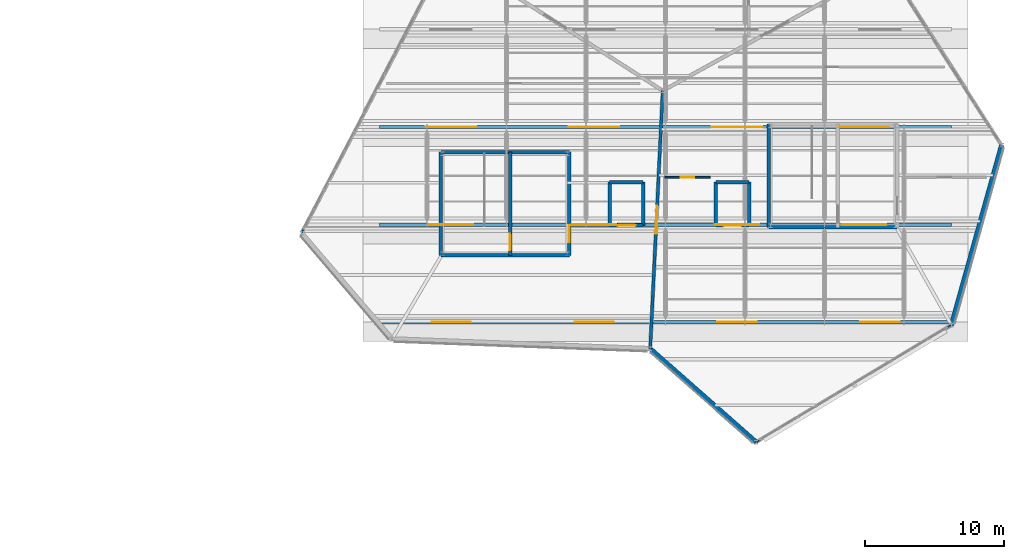
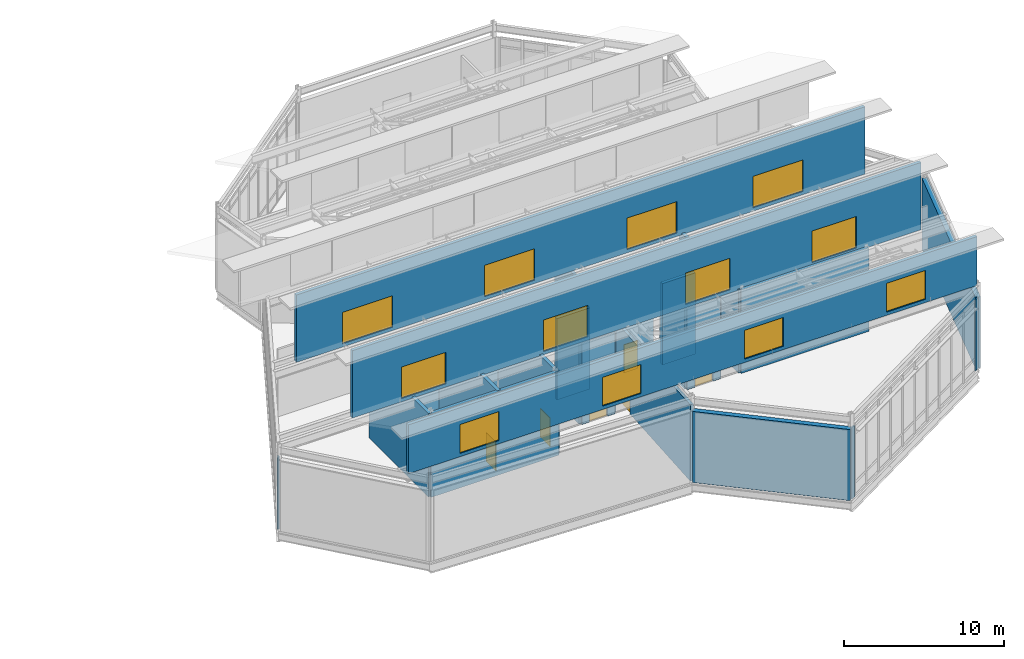
# One storey, part 52 of 55: 25 walls, 12 windows, 6 doors, 18 openings.
"""IFC4 building model written with IfcOpenShell, lengths in metres."""

from ifc_helpers import new_model, si_unit, direction, frame, frame_2d, origin, place, context, subcontext, project, spatial, rectangle, extrude, material, layer, layer_set, type_object, element, fill, save


model = new_model("IFC4")

# Units and contexts
model_context = context("Model", 3, precision=1e-05, world=origin(), true_north=direction((0.0, 1.0)))
body_context = subcontext(model_context, "Body", "Model", "MODEL_VIEW")
ifc_project = project(units=[si_unit("LENGTHUNIT", "METRE"), si_unit("AREAUNIT", "SQUARE_METRE"), si_unit("VOLUMEUNIT", "CUBIC_METRE"), si_unit("PLANEANGLEUNIT", "RADIAN"), si_unit("MASSUNIT", "GRAM", prefix="KILO")], contexts=[model_context])

# Site, building, storey
site_placement = place(None, origin())
site = spatial("IfcSite", under=ifc_project, at=site_placement, CompositionType="ELEMENT")
building_placement = place(site_placement, origin())
building = spatial("IfcBuilding", under=site, at=building_placement, Name="Tameran Prism Museum", CompositionType="ELEMENT")
storey_placement = place(building_placement, frame((0.0, 0.0, 28.800048828125)))
storey = spatial("IfcBuildingStorey", under=building, at=storey_placement, Name="L05", CompositionType="ELEMENT", Elevation=28.800048828125)

# Walls
ifc_material_1 = material(Name="Precast Concrete N40 (40 MPa)", Category="concrete")
ifc_layer_1 = layer(ifc_material_1, 0.094970703125)
ifc_layer_set_1 = layer_set([ifc_layer_1])
wall_type_1 = type_object("IfcWallType", Name="EW-CLOS-095", PredefinedType="SOLIDWALL", material=ifc_layer_set_1)
wall_1_placement = place(storey_placement, frame((92.9189453125, 78.93701171875, 0.0), z_axis=(0.0, 0.0, 1.0), x_axis=(0.464243799771, 0.885707454171, 0.0)))
element("IfcWall", 1, at=wall_1_placement, inside=storey, type_object=wall_type_1, Name="Facade Corner Closure EW-0455", PredefinedType="SOLIDWALL", context=body_context, shape_type="SweptSolid", body=[
    extrude(rectangle(XDim=0.30810546875, YDim=0.094970703125, at=frame_2d((0.154052734375, 0.0))), origin(), (0.0, 0.0, 1.0), 5.419921875),
])
for number, where, z_axis, x_axis, name in (
    (2, (139.464111328125, 72.278076171875, 0.0), (0.0, 0.0, 1.0), (-0.858261853705, -0.513212032668, 0.0), "Facade Corner Closure EW-0459"),
    (3, (125.800048828125, 64.080078125, 0.0), (0.0, 0.0, 1.0), (-0.858261853705, -0.513212032668, 0.0), "Facade Corner Closure EW-0460"),
):
    element("IfcWall", number, at=place(storey_placement, frame(where, z_axis=z_axis, x_axis=x_axis)), inside=storey, type_object=wall_type_1, Name=name, PredefinedType="SOLIDWALL", context=body_context, shape_type="SweptSolid", body=[
        extrude(rectangle(XDim=0.307861328125, YDim=0.094970703125, at=frame_2d((0.15380859375, 0.0))), origin(), (0.0, 0.0, 1.0), 5.419921875),
    ])
ifc_material_2 = material(Name="Precast Concrete N40 (40 MPa)", Category="concrete")
ifc_layer_2 = layer(ifc_material_2, 0.340087890625)
ifc_layer_set_2 = layer_set([ifc_layer_2])
wall_type_2 = type_object("IfcWallType", Name="EW-GAL-340", PredefinedType="SOLIDWALL", material=ifc_layer_set_2)
wall_2_placement = place(storey_placement, frame((125.5, 63.89990234375, 0.0), z_axis=(0.0, 0.0, 1.0), x_axis=(-0.750131359252, 0.661288850554, 0.0)))
element("IfcWall", 4, at=wall_2_placement, inside=storey, type_object=wall_type_2, Name="Exterior Fluted Precast Wall EW-0458", PredefinedType="SOLIDWALL", context=body_context, shape_type="SweptSolid", body=[
    extrude(rectangle(XDim=10.071533203125, YDim=0.340087890625, at=frame_2d((5.03564453125, 0.0))), origin(), (0.0, 0.0, 1.0), 5.419921875),
])
wall_3_placement = place(storey_placement, frame((143.10009765625, 85.199951171875, 0.0), z_axis=(0.0, 0.0, 1.0), x_axis=(-0.268807620494, -0.96319388659, 0.0)))
element("IfcWall", 5, at=wall_3_placement, inside=storey, type_object=wall_type_2, Name="Exterior Fluted Precast Wall EW-0461", PredefinedType="SOLIDWALL", context=body_context, shape_type="SweptSolid", body=[
    extrude(rectangle(XDim=13.392822265625, YDim=0.340087890625, at=frame_2d((6.6962890625, 0.0))), origin(), (0.0, 0.0, 1.0), 5.419921875),
])

# Wall, openings, windows
ifc_material_3 = material(Name="Insulated Aluminium Cladding Panel", Category="aluminium")
ifc_layer_3 = layer(ifc_material_3, 0.235107421875)
ifc_layer_set_3 = layer_set([ifc_layer_3])
wall_type_3 = type_object("IfcWallType", Name="EW-SAW-235", PredefinedType="SOLIDWALL", material=ifc_layer_set_3)
wall_4_placement = place(storey_placement, frame((139.5, 72.5, 6.25), z_axis=(0.0, 0.0, 1.0), x_axis=(-1.0, 0.0, 0.0)))
wall_4 = element("IfcWall", 6, at=wall_4_placement, inside=storey, type_object=wall_type_3, Name="Sawtooth Monitor Wall SMW-01", PredefinedType="SOLIDWALL", context=body_context, shape_type="SweptSolid", body=[
    extrude(rectangle(XDim=41.0, YDim=0.235107421875, at=frame_2d((20.5, 0.0))), origin(), (0.0, 0.0, 1.0), 3.72998046875),
])
opening_1_placement = place(wall_4_placement, frame((3.72509765625, 0.0, 0.25)))
opening_1 = element("IfcOpeningElement", 7, at=opening_1_placement, cuts=wall_4, Name="Opening RL-01", PredefinedType="OPENING", context=body_context, shape_type="SweptSolid", body=[
    extrude(rectangle(XDim=2.800048828125, YDim=2.199951171875, at=frame_2d((1.39990234375, 1.10009765625))), frame((0.0, 0.12744140625, 0.0), z_axis=(0.0, -1.0, 0.0), x_axis=(1.0, 0.0, 0.0)), (0.0, 0.0, 1.0), 0.255126953125),
])
opening_2_placement = place(wall_4_placement, frame((13.97509765625, 0.0, 0.25)))
opening_2 = element("IfcOpeningElement", 8, at=opening_2_placement, cuts=wall_4, Name="Opening RL-02", PredefinedType="OPENING", context=body_context, shape_type="SweptSolid", body=[
    extrude(rectangle(XDim=2.800048828125, YDim=2.199951171875, at=frame_2d((1.39990234375, 1.10009765625))), frame((0.0, 0.12744140625, 0.0), z_axis=(0.0, -1.0, 0.0), x_axis=(1.0, 0.0, 0.0)), (0.0, 0.0, 1.0), 0.255126953125),
])
opening_3_placement = place(wall_4_placement, frame((24.22509765625, 0.0, 0.25)))
opening_3 = element("IfcOpeningElement", 9, at=opening_3_placement, cuts=wall_4, Name="Opening RL-03", PredefinedType="OPENING", context=body_context, shape_type="SweptSolid", body=[
    extrude(rectangle(XDim=2.800048828125, YDim=2.199951171875, at=frame_2d((1.39990234375, 1.10009765625))), frame((0.0, 0.12744140625, 0.0), z_axis=(0.0, -1.0, 0.0), x_axis=(1.0, 0.0, 0.0)), (0.0, 0.0, 1.0), 0.255126953125),
])
opening_4_placement = place(wall_4_placement, frame((34.47509765625, 0.0, 0.25)))
opening_4 = element("IfcOpeningElement", 10, at=opening_4_placement, cuts=wall_4, Name="Opening RL-04", PredefinedType="OPENING", context=body_context, shape_type="SweptSolid", body=[
    extrude(rectangle(XDim=2.800048828125, YDim=2.199951171875, at=frame_2d((1.39990234375, 1.10009765625))), frame((0.0, 0.12744140625, 0.0), z_axis=(0.0, -1.0, 0.0), x_axis=(1.0, 0.0, 0.0)), (0.0, 0.0, 1.0), 0.255126953125),
])
ifc_material_4 = material(Name="Cyclone Laminated Low-E Glass in 6063-T6 Frame", Category="glass")
window_type_1 = type_object("IfcWindowType", Name="WIN-RL02", PartitioningType="SINGLE_PANEL", PredefinedType="SKYLIGHT", material=ifc_material_4)
window_1_placement = place(opening_1_placement, origin())
window_1 = element("IfcWindow", 11, at=window_1_placement, inside=storey, type_object=window_type_1, Name="Rooflight RL-01", OverallHeight=2.199951171875, OverallWidth=2.800048828125, PartitioningType="SINGLE_PANEL", PredefinedType="SKYLIGHT", context=body_context, shape_type="SweptSolid", body=[
    extrude(rectangle(XDim=2.800048828125, YDim=2.199951171875, at=frame_2d((1.39990234375, 1.10009765625))), frame((0.0, 0.030029296875, 0.0), z_axis=(0.0, -1.0, 0.0), x_axis=(1.0, 0.0, 0.0)), (0.0, 0.0, 1.0), 0.06005859375),
])
fill(opening_1, window_1)
window_2_placement = place(opening_2_placement, origin())
window_2 = element("IfcWindow", 12, at=window_2_placement, inside=storey, type_object=window_type_1, Name="Rooflight RL-02", OverallHeight=2.199951171875, OverallWidth=2.800048828125, PartitioningType="SINGLE_PANEL", PredefinedType="SKYLIGHT", context=body_context, shape_type="SweptSolid", body=[
    extrude(rectangle(XDim=2.800048828125, YDim=2.199951171875, at=frame_2d((1.39990234375, 1.10009765625))), frame((0.0, 0.030029296875, 0.0), z_axis=(0.0, -1.0, 0.0), x_axis=(1.0, 0.0, 0.0)), (0.0, 0.0, 1.0), 0.06005859375),
])
fill(opening_2, window_2)
window_3_placement = place(opening_3_placement, origin())
window_3 = element("IfcWindow", 13, at=window_3_placement, inside=storey, type_object=window_type_1, Name="Rooflight RL-03", OverallHeight=2.199951171875, OverallWidth=2.800048828125, PartitioningType="SINGLE_PANEL", PredefinedType="SKYLIGHT", context=body_context, shape_type="SweptSolid", body=[
    extrude(rectangle(XDim=2.800048828125, YDim=2.199951171875, at=frame_2d((1.39990234375, 1.10009765625))), frame((0.0, 0.030029296875, 0.0), z_axis=(0.0, -1.0, 0.0), x_axis=(1.0, 0.0, 0.0)), (0.0, 0.0, 1.0), 0.06005859375),
])
fill(opening_3, window_3)
window_4_placement = place(opening_4_placement, origin())
window_4 = element("IfcWindow", 14, at=window_4_placement, inside=storey, type_object=window_type_1, Name="Rooflight RL-04", OverallHeight=2.199951171875, OverallWidth=2.800048828125, PartitioningType="SINGLE_PANEL", PredefinedType="SKYLIGHT", context=body_context, shape_type="SweptSolid", body=[
    extrude(rectangle(XDim=2.800048828125, YDim=2.199951171875, at=frame_2d((1.39990234375, 1.10009765625))), frame((0.0, 0.030029296875, 0.0), z_axis=(0.0, -1.0, 0.0), x_axis=(1.0, 0.0, 0.0)), (0.0, 0.0, 1.0), 0.06005859375),
])
fill(opening_4, window_4)

wall_5_placement = place(storey_placement, frame((139.5, 79.5, 6.25), z_axis=(0.0, 0.0, 1.0), x_axis=(-1.0, 0.0, 0.0)))
wall_5 = element("IfcWall", 15, at=wall_5_placement, inside=storey, type_object=wall_type_3, Name="Sawtooth Monitor Wall SMW-02", PredefinedType="SOLIDWALL", context=body_context, shape_type="SweptSolid", body=[
    extrude(rectangle(XDim=41.0, YDim=0.235107421875, at=frame_2d((20.5, 0.0))), origin(), (0.0, 0.0, 1.0), 5.1298828125),
])
opening_5_placement = place(wall_5_placement, frame((4.675048828125, 0.0, 0.25)))
opening_5 = element("IfcOpeningElement", 16, at=opening_5_placement, cuts=wall_5, Name="Opening RL-05", PredefinedType="OPENING", context=body_context, shape_type="SweptSolid", body=[
    extrude(rectangle(XDim=3.199951171875, YDim=2.39990234375, at=frame_2d((1.60009765625, 1.199951171875))), frame((0.0, 0.12744140625, 0.0), z_axis=(0.0, -1.0, 0.0), x_axis=(1.0, 0.0, 0.0)), (0.0, 0.0, 1.0), 0.255126953125),
])
opening_6_placement = place(wall_5_placement, frame((13.77490234375, 0.0, 0.25)))
opening_6 = element("IfcOpeningElement", 17, at=opening_6_placement, cuts=wall_5, Name="Opening RL-06", PredefinedType="OPENING", context=body_context, shape_type="SweptSolid", body=[
    extrude(rectangle(XDim=3.199951171875, YDim=2.39990234375, at=frame_2d((1.60009765625, 1.199951171875))), frame((0.0, 0.12744140625, 0.0), z_axis=(0.0, -1.0, 0.0), x_axis=(1.0, 0.0, 0.0)), (0.0, 0.0, 1.0), 0.255126953125),
])
opening_7_placement = place(wall_5_placement, frame((24.02490234375, 0.0, 0.25)))
opening_7 = element("IfcOpeningElement", 18, at=opening_7_placement, cuts=wall_5, Name="Opening RL-07", PredefinedType="OPENING", context=body_context, shape_type="SweptSolid", body=[
    extrude(rectangle(XDim=3.199951171875, YDim=2.39990234375, at=frame_2d((1.60009765625, 1.199951171875))), frame((0.0, 0.12744140625, 0.0), z_axis=(0.0, -1.0, 0.0), x_axis=(1.0, 0.0, 0.0)), (0.0, 0.0, 1.0), 0.255126953125),
])
opening_8_placement = place(wall_5_placement, frame((34.27490234375, 0.0, 0.25)))
opening_8 = element("IfcOpeningElement", 19, at=opening_8_placement, cuts=wall_5, Name="Opening RL-08", PredefinedType="OPENING", context=body_context, shape_type="SweptSolid", body=[
    extrude(rectangle(XDim=3.199951171875, YDim=2.39990234375, at=frame_2d((1.60009765625, 1.199951171875))), frame((0.0, 0.12744140625, 0.0), z_axis=(0.0, -1.0, 0.0), x_axis=(1.0, 0.0, 0.0)), (0.0, 0.0, 1.0), 0.255126953125),
])
ifc_material_5 = material(Name="Cyclone Laminated Low-E Glass in 6063-T6 Frame", Category="glass")
window_type_2 = type_object("IfcWindowType", Name="WIN-RL03", PartitioningType="SINGLE_PANEL", PredefinedType="SKYLIGHT", material=ifc_material_5)
window_5_placement = place(opening_5_placement, origin())
window_5 = element("IfcWindow", 20, at=window_5_placement, inside=storey, type_object=window_type_2, Name="Rooflight RL-05", OverallHeight=2.39990234375, OverallWidth=3.199951171875, PartitioningType="SINGLE_PANEL", PredefinedType="SKYLIGHT", context=body_context, shape_type="SweptSolid", body=[
    extrude(rectangle(XDim=3.199951171875, YDim=2.39990234375, at=frame_2d((1.60009765625, 1.199951171875))), frame((0.0, 0.030029296875, 0.0), z_axis=(0.0, -1.0, 0.0), x_axis=(1.0, 0.0, 0.0)), (0.0, 0.0, 1.0), 0.06005859375),
])
fill(opening_5, window_5)
window_6_placement = place(opening_6_placement, origin())
window_6 = element("IfcWindow", 21, at=window_6_placement, inside=storey, type_object=window_type_2, Name="Rooflight RL-06", OverallHeight=2.39990234375, OverallWidth=3.199951171875, PartitioningType="SINGLE_PANEL", PredefinedType="SKYLIGHT", context=body_context, shape_type="SweptSolid", body=[
    extrude(rectangle(XDim=3.199951171875, YDim=2.39990234375, at=frame_2d((1.60009765625, 1.199951171875))), frame((0.0, 0.030029296875, 0.0), z_axis=(0.0, -1.0, 0.0), x_axis=(1.0, 0.0, 0.0)), (0.0, 0.0, 1.0), 0.06005859375),
])
fill(opening_6, window_6)
window_7_placement = place(opening_7_placement, origin())
window_7 = element("IfcWindow", 22, at=window_7_placement, inside=storey, type_object=window_type_2, Name="Rooflight RL-07", OverallHeight=2.39990234375, OverallWidth=3.199951171875, PartitioningType="SINGLE_PANEL", PredefinedType="SKYLIGHT", context=body_context, shape_type="SweptSolid", body=[
    extrude(rectangle(XDim=3.199951171875, YDim=2.39990234375, at=frame_2d((1.60009765625, 1.199951171875))), frame((0.0, 0.030029296875, 0.0), z_axis=(0.0, -1.0, 0.0), x_axis=(1.0, 0.0, 0.0)), (0.0, 0.0, 1.0), 0.06005859375),
])
fill(opening_7, window_7)
window_8_placement = place(opening_8_placement, origin())
window_8 = element("IfcWindow", 23, at=window_8_placement, inside=storey, type_object=window_type_2, Name="Rooflight RL-08", OverallHeight=2.39990234375, OverallWidth=3.199951171875, PartitioningType="SINGLE_PANEL", PredefinedType="SKYLIGHT", context=body_context, shape_type="SweptSolid", body=[
    extrude(rectangle(XDim=3.199951171875, YDim=2.39990234375, at=frame_2d((1.60009765625, 1.199951171875))), frame((0.0, 0.030029296875, 0.0), z_axis=(0.0, -1.0, 0.0), x_axis=(1.0, 0.0, 0.0)), (0.0, 0.0, 1.0), 0.06005859375),
])
fill(opening_8, window_8)

wall_6_placement = place(storey_placement, frame((139.5, 86.5, 6.25), z_axis=(0.0, 0.0, 1.0), x_axis=(-1.0, 0.0, 0.0)))
wall_6 = element("IfcWall", 24, at=wall_6_placement, inside=storey, type_object=wall_type_3, Name="Sawtooth Monitor Wall SMW-03", PredefinedType="SOLIDWALL", context=body_context, shape_type="SweptSolid", body=[
    extrude(rectangle(XDim=41.0, YDim=0.235107421875, at=frame_2d((20.5, 0.0))), origin(), (0.0, 0.0, 1.0), 5.1298828125),
])
opening_9_placement = place(wall_6_placement, frame((4.47509765625, 0.0, 0.25)))
opening_9 = element("IfcOpeningElement", 25, at=opening_9_placement, cuts=wall_6, Name="Opening RL-09", PredefinedType="OPENING", context=body_context, shape_type="SweptSolid", body=[
    extrude(rectangle(XDim=3.60009765625, YDim=2.39990234375, at=frame_2d((1.800048828125, 1.199951171875))), frame((0.0, 0.12744140625, 0.0), z_axis=(0.0, -1.0, 0.0), x_axis=(1.0, 0.0, 0.0)), (0.0, 0.0, 1.0), 0.255126953125),
])
opening_10_placement = place(wall_6_placement, frame((13.574951171875, 0.0, 0.25)))
opening_10 = element("IfcOpeningElement", 26, at=opening_10_placement, cuts=wall_6, Name="Opening RL-10", PredefinedType="OPENING", context=body_context, shape_type="SweptSolid", body=[
    extrude(rectangle(XDim=3.60009765625, YDim=2.39990234375, at=frame_2d((1.800048828125, 1.199951171875))), frame((0.0, 0.12744140625, 0.0), z_axis=(0.0, -1.0, 0.0), x_axis=(1.0, 0.0, 0.0)), (0.0, 0.0, 1.0), 0.255126953125),
])
opening_11_placement = place(wall_6_placement, frame((23.824951171875, 0.0, 0.25)))
opening_11 = element("IfcOpeningElement", 27, at=opening_11_placement, cuts=wall_6, Name="Opening RL-11", PredefinedType="OPENING", context=body_context, shape_type="SweptSolid", body=[
    extrude(rectangle(XDim=3.60009765625, YDim=2.39990234375, at=frame_2d((1.800048828125, 1.199951171875))), frame((0.0, 0.12744140625, 0.0), z_axis=(0.0, -1.0, 0.0), x_axis=(1.0, 0.0, 0.0)), (0.0, 0.0, 1.0), 0.255126953125),
])
opening_12_placement = place(wall_6_placement, frame((34.074951171875, 0.0, 0.25)))
opening_12 = element("IfcOpeningElement", 28, at=opening_12_placement, cuts=wall_6, Name="Opening RL-12", PredefinedType="OPENING", context=body_context, shape_type="SweptSolid", body=[
    extrude(rectangle(XDim=3.60009765625, YDim=2.39990234375, at=frame_2d((1.800048828125, 1.199951171875))), frame((0.0, 0.12744140625, 0.0), z_axis=(0.0, -1.0, 0.0), x_axis=(1.0, 0.0, 0.0)), (0.0, 0.0, 1.0), 0.255126953125),
])
ifc_material_6 = material(Name="Cyclone Laminated Low-E Glass in 6063-T6 Frame", Category="glass")
window_type_3 = type_object("IfcWindowType", Name="WIN-RL04", PartitioningType="SINGLE_PANEL", PredefinedType="SKYLIGHT", material=ifc_material_6)
window_9_placement = place(opening_9_placement, origin())
window_9 = element("IfcWindow", 29, at=window_9_placement, inside=storey, type_object=window_type_3, Name="Rooflight RL-09", OverallHeight=2.39990234375, OverallWidth=3.60009765625, PartitioningType="SINGLE_PANEL", PredefinedType="SKYLIGHT", context=body_context, shape_type="SweptSolid", body=[
    extrude(rectangle(XDim=3.60009765625, YDim=2.39990234375, at=frame_2d((1.800048828125, 1.199951171875))), frame((0.0, 0.030029296875, 0.0), z_axis=(0.0, -1.0, 0.0), x_axis=(1.0, 0.0, 0.0)), (0.0, 0.0, 1.0), 0.06005859375),
])
fill(opening_9, window_9)
window_10_placement = place(opening_10_placement, origin())
window_10 = element("IfcWindow", 30, at=window_10_placement, inside=storey, type_object=window_type_3, Name="Rooflight RL-10", OverallHeight=2.39990234375, OverallWidth=3.60009765625, PartitioningType="SINGLE_PANEL", PredefinedType="SKYLIGHT", context=body_context, shape_type="SweptSolid", body=[
    extrude(rectangle(XDim=3.60009765625, YDim=2.39990234375, at=frame_2d((1.800048828125, 1.199951171875))), frame((0.0, 0.030029296875, 0.0), z_axis=(0.0, -1.0, 0.0), x_axis=(1.0, 0.0, 0.0)), (0.0, 0.0, 1.0), 0.06005859375),
])
fill(opening_10, window_10)
window_11_placement = place(opening_11_placement, origin())
window_11 = element("IfcWindow", 31, at=window_11_placement, inside=storey, type_object=window_type_3, Name="Rooflight RL-11", OverallHeight=2.39990234375, OverallWidth=3.60009765625, PartitioningType="SINGLE_PANEL", PredefinedType="SKYLIGHT", context=body_context, shape_type="SweptSolid", body=[
    extrude(rectangle(XDim=3.60009765625, YDim=2.39990234375, at=frame_2d((1.800048828125, 1.199951171875))), frame((0.0, 0.030029296875, 0.0), z_axis=(0.0, -1.0, 0.0), x_axis=(1.0, 0.0, 0.0)), (0.0, 0.0, 1.0), 0.06005859375),
])
fill(opening_11, window_11)
window_12_placement = place(opening_12_placement, origin())
window_12 = element("IfcWindow", 32, at=window_12_placement, inside=storey, type_object=window_type_3, Name="Rooflight RL-12", OverallHeight=2.39990234375, OverallWidth=3.60009765625, PartitioningType="SINGLE_PANEL", PredefinedType="SKYLIGHT", context=body_context, shape_type="SweptSolid", body=[
    extrude(rectangle(XDim=3.60009765625, YDim=2.39990234375, at=frame_2d((1.800048828125, 1.199951171875))), frame((0.0, 0.030029296875, 0.0), z_axis=(0.0, -1.0, 0.0), x_axis=(1.0, 0.0, 0.0)), (0.0, 0.0, 1.0), 0.06005859375),
])
fill(opening_12, window_12)

# Wall, opening, door
ifc_material_7 = material(Name="Concrete N40 (40 MPa)", Category="concrete")
ifc_layer_4 = layer(ifc_material_7, 0.22509765625)
ifc_layer_set_4 = layer_set([ifc_layer_4])
wall_type_4 = type_object("IfcWallType", Name="IW-CMP-225", PredefinedType="SOLIDWALL", material=ifc_layer_set_4)
wall_7_placement = place(storey_placement, frame((117.89990234375, 70.60009765625, 0.0), z_axis=(0.0, 0.0, 1.0), x_axis=(0.048599072515, 0.998818366947, 0.0)))
wall_7 = element("IfcWall", 33, at=wall_7_placement, inside=storey, type_object=wall_type_4, Name="Compartment Wall IW-0161", PredefinedType="SOLIDWALL", context=body_context, shape_type="SweptSolid", body=[
    extrude(rectangle(XDim=18.52197265625, YDim=0.22509765625, at=frame_2d((9.260986328125, 0.0))), origin(), (0.0, 0.0, 1.0), 5.820068359375),
])
opening_13_placement = place(wall_7_placement, frame((8.260986328125, 0.0, 0.0)))
opening_13 = element("IfcOpeningElement", 34, at=opening_13_placement, cuts=wall_7, Name="Opening ID-0160", PredefinedType="OPENING", context=body_context, shape_type="SweptSolid", body=[
    extrude(rectangle(XDim=2.0, YDim=2.5, at=frame_2d((1.0, 1.25))), frame((0.0, 0.12255859375, 0.0), z_axis=(0.0, -1.0, 0.0), x_axis=(1.0, 0.0, 0.0)), (0.0, 0.0, 1.0), 0.2451171875),
])
ifc_material_8 = material(Name="Fire-Rated Steel Door Leaf and Frame", Category="steel")
door_type_1 = type_object("IfcDoorType", Name="DR-GAL-200", OperationType="DOUBLE_DOOR_SINGLE_SWING", PredefinedType="DOOR", material=ifc_material_8)
door_1_placement = place(opening_13_placement, origin())
door_1 = element("IfcDoor", 35, at=door_1_placement, inside=storey, type_object=door_type_1, Name="Compartment Door ID-0160", OperationType="DOUBLE_DOOR_SINGLE_SWING", OverallHeight=2.5, OverallWidth=2.0, PredefinedType="DOOR", context=body_context, shape_type="SweptSolid", body=[
    extrude(rectangle(XDim=2.0, YDim=2.5, at=frame_2d((1.0, 1.25))), frame((0.0, 0.02490234375, 0.0), z_axis=(0.0, -1.0, 0.0), x_axis=(1.0, 0.0, 0.0)), (0.0, 0.0, 1.0), 0.050048828125),
])
fill(opening_13, door_1)

# Walls
ifc_material_9 = material(Name="Concrete N40 (40 MPa)", Category="concrete")
ifc_layer_5 = layer(ifc_material_9, 0.25)
ifc_layer_set_5 = layer_set([ifc_layer_5])
wall_type_5 = type_object("IfcWallType", Name="IW-COR-250", PredefinedType="SHEAR", material=ifc_layer_set_5)
wall_8_placement = place(storey_placement, frame((102.89990234375, 77.300048828125, 0.0), z_axis=(0.0, 0.0, 1.0), x_axis=(0.0, 1.0, 0.0)))
element("IfcWall", 36, at=wall_8_placement, inside=storey, type_object=wall_type_5, Name="Core Shear Wall CW-1-L05-W", PredefinedType="SHEAR", context=body_context, shape_type="SweptSolid", body=[
    extrude(rectangle(XDim=7.39990234375, YDim=0.25, at=frame_2d((3.699951171875, 0.0))), origin(), (0.0, 0.0, 1.0), 6.35986328125),
])
for number, where, z_axis, x_axis, name in (
    (37, (102.89990234375, 84.699951171875, 0.0), (0.0, 0.0, 1.0), (1.0, 0.0, 0.0), "Core Shear Wall CW-1-L05-N"),
    (38, (112.10009765625, 77.300048828125, 0.0), (0.0, 0.0, 1.0), (-1.0, 0.0, 0.0), "Core Shear Wall CW-1-L05-S"),
):
    element("IfcWall", number, at=place(storey_placement, frame(where, z_axis=z_axis, x_axis=x_axis)), inside=storey, type_object=wall_type_5, Name=name, PredefinedType="SHEAR", context=body_context, shape_type="SweptSolid", body=[
        extrude(rectangle(XDim=9.2001953125, YDim=0.25, at=frame_2d((4.60009765625, 0.0))), origin(), (0.0, 0.0, 1.0), 6.35986328125),
    ])

# Wall, opening, door
wall_9_placement = place(storey_placement, frame((112.10009765625, 84.699951171875, 0.0), z_axis=(0.0, 0.0, 1.0), x_axis=(0.0, -1.0, 0.0)))
wall_9 = element("IfcWall", 39, at=wall_9_placement, inside=storey, type_object=wall_type_5, Name="Core Shear Wall CW-1-L05-E", PredefinedType="SHEAR", context=body_context, shape_type="SweptSolid", body=[
    extrude(rectangle(XDim=7.39990234375, YDim=0.25, at=frame_2d((3.699951171875, 0.0))), origin(), (0.0, 0.0, 1.0), 6.35986328125),
])
opening_14_placement = place(wall_9_placement, frame((5.25, 0.0, 0.0)))
opening_14 = element("IfcOpeningElement", 40, at=opening_14_placement, cuts=wall_9, Name="Opening FD-0181", PredefinedType="OPENING", context=body_context, shape_type="SweptSolid", body=[
    extrude(rectangle(XDim=1.199951171875, YDim=2.199951171875, at=frame_2d((0.60009765625, 1.10009765625))), frame((0.0, 0.135009765625, 0.0), z_axis=(0.0, -1.0, 0.0), x_axis=(1.0, 0.0, 0.0)), (0.0, 0.0, 1.0), 0.27001953125),
])
ifc_material_10 = material(Name="Fire-Rated Steel Door Leaf and Frame", Category="steel")
door_type_2 = type_object("IfcDoorType", Name="DR-FD-120A", OperationType="NOTDEFINED", PredefinedType="DOOR", material=ifc_material_10)
door_2_placement = place(opening_14_placement, origin())
door_2 = element("IfcDoor", 41, at=door_2_placement, inside=storey, type_object=door_type_2, Name="Core Fire Door FD-0181", OperationType="SINGLE_SWING_LEFT", OverallHeight=2.199951171875, OverallWidth=1.199951171875, PredefinedType="DOOR", context=body_context, shape_type="SweptSolid", body=[
    extrude(rectangle(XDim=1.199951171875, YDim=2.199951171875, at=frame_2d((0.60009765625, 1.10009765625))), frame((0.0, 0.02490234375, 0.0), z_axis=(0.0, -1.0, 0.0), x_axis=(1.0, 0.0, 0.0)), (0.0, 0.0, 1.0), 0.050048828125),
])
fill(opening_14, door_2)

wall_10_placement = place(storey_placement, frame((107.85009765625, 84.699951171875, 0.0), z_axis=(0.0, 0.0, 1.0), x_axis=(0.0, -1.0, 0.0)))
wall_10 = element("IfcWall", 42, at=wall_10_placement, inside=storey, type_object=wall_type_5, Name="Core Shear Wall CW-1-L05-M", PredefinedType="SHEAR", context=body_context, shape_type="SweptSolid", body=[
    extrude(rectangle(XDim=7.39990234375, YDim=0.25, at=frame_2d((3.699951171875, 0.0))), origin(), (0.0, 0.0, 1.0), 6.35986328125),
])
opening_15_placement = place(wall_10_placement, frame((5.85009765625, 0.0, 0.0)))
opening_15 = element("IfcOpeningElement", 43, at=opening_15_placement, cuts=wall_10, Name="Opening FD-0182", PredefinedType="OPENING", context=body_context, shape_type="SweptSolid", body=[
    extrude(rectangle(XDim=1.199951171875, YDim=2.199951171875, at=frame_2d((0.60009765625, 1.10009765625))), frame((0.0, 0.135009765625, 0.0), z_axis=(0.0, -1.0, 0.0), x_axis=(1.0, 0.0, 0.0)), (0.0, 0.0, 1.0), 0.27001953125),
])
door_3_placement = place(opening_15_placement, origin())
door_3 = element("IfcDoor", 44, at=door_3_placement, inside=storey, type_object=door_type_2, Name="Core Fire Door FD-0182", OperationType="SINGLE_SWING_RIGHT", OverallHeight=2.199951171875, OverallWidth=1.199951171875, PredefinedType="DOOR", context=body_context, shape_type="SweptSolid", body=[
    extrude(rectangle(XDim=1.199951171875, YDim=2.199951171875, at=frame_2d((0.60009765625, 1.10009765625))), frame((0.0, 0.02490234375, 0.0), z_axis=(0.0, -1.0, 0.0), x_axis=(1.0, 0.0, 0.0)), (0.0, 0.0, 1.0), 0.050048828125),
])
fill(opening_15, door_3)

# Walls
wall_11_placement = place(storey_placement, frame((126.39990234375, 79.300048828125, 0.0), z_axis=(0.0, 0.0, 1.0), x_axis=(0.0, 1.0, 0.0)))
element("IfcWall", 45, at=wall_11_placement, inside=storey, type_object=wall_type_5, Name="Core Shear Wall CW-2-L05-W", PredefinedType="SHEAR", context=body_context, shape_type="SweptSolid", body=[
    extrude(rectangle(XDim=7.39990234375, YDim=0.25, at=frame_2d((3.699951171875, 0.0))), origin(), (0.0, 0.0, 1.0), 6.35986328125),
])
wall_12_placement = place(storey_placement, frame((135.60009765625, 79.300048828125, 0.0), z_axis=(0.0, 0.0, 1.0), x_axis=(-1.0, 0.0, 0.0)))
element("IfcWall", 46, at=wall_12_placement, inside=storey, type_object=wall_type_5, Name="Core Shear Wall CW-2-L05-S", PredefinedType="SHEAR", context=body_context, shape_type="SweptSolid", body=[
    extrude(rectangle(XDim=9.2001953125, YDim=0.25, at=frame_2d((4.60009765625, 0.0))), origin(), (0.0, 0.0, 1.0), 6.35986328125),
])
ifc_material_11 = material(Name="Concrete N40 (40 MPa)", Category="concrete")
ifc_layer_6 = layer(ifc_material_11, 0.239990234375)
ifc_layer_set_6 = layer_set([ifc_layer_6])
wall_type_6 = type_object("IfcWallType", Name="IW-LFT-240", PredefinedType="SHEAR", material=ifc_layer_set_6)
wall_13_placement = place(storey_placement, frame((115.0, 82.550048828125, 0.0), z_axis=(0.0, 0.0, 1.0), x_axis=(1.0, 0.0, 0.0)))
element("IfcWall", 47, at=wall_13_placement, inside=storey, type_object=wall_type_6, Name="Lift Shaft Wall LW-EL01-L05N", PredefinedType="SHEAR", context=body_context, shape_type="SweptSolid", body=[
    extrude(rectangle(XDim=2.39990234375, YDim=0.239990234375, at=frame_2d((1.199951171875, 0.0))), origin(), (0.0, 0.0, 1.0), 6.199951171875),
])
for number, where, z_axis, x_axis, name in (
    (48, (117.39990234375, 82.550048828125, 0.0), (0.0, 0.0, 1.0), (0.0, -1.0, 0.0), "Lift Shaft Wall LW-EL01-L05E"),
    (49, (115.0, 79.449951171875, 0.0), (0.0, 0.0, 1.0), (0.0, 1.0, 0.0), "Lift Shaft Wall LW-EL01-L05W"),
):
    element("IfcWall", number, at=place(storey_placement, frame(where, z_axis=z_axis, x_axis=x_axis)), inside=storey, type_object=wall_type_6, Name=name, PredefinedType="SHEAR", context=body_context, shape_type="SweptSolid", body=[
        extrude(rectangle(XDim=3.10009765625, YDim=0.239990234375, at=frame_2d((1.550048828125, 0.0))), origin(), (0.0, 0.0, 1.0), 6.199951171875),
    ])

# Wall, opening, door
wall_14_placement = place(storey_placement, frame((117.39990234375, 79.449951171875, 0.0), z_axis=(0.0, 0.0, 1.0), x_axis=(-1.0, 0.0, 0.0)))
wall_14 = element("IfcWall", 50, at=wall_14_placement, inside=storey, type_object=wall_type_6, Name="Lift Shaft Wall LW-EL01-L05S", PredefinedType="SHEAR", context=body_context, shape_type="SweptSolid", body=[
    extrude(rectangle(XDim=2.39990234375, YDim=0.239990234375, at=frame_2d((1.199951171875, 0.0))), origin(), (0.0, 0.0, 1.0), 6.199951171875),
])
opening_16_placement = place(wall_14_placement, frame((0.550048828125, 0.0, 0.0)))
opening_16 = element("IfcOpeningElement", 51, at=opening_16_placement, cuts=wall_14, Name="Opening LD-EL01-L05", PredefinedType="OPENING", context=body_context, shape_type="SweptSolid", body=[
    extrude(rectangle(XDim=1.300048828125, YDim=2.25, at=frame_2d((0.64990234375, 1.125))), frame((0.0, 0.1298828125, 0.0), z_axis=(0.0, -1.0, 0.0), x_axis=(1.0, 0.0, 0.0)), (0.0, 0.0, 1.0), 0.260009765625),
])
ifc_material_12 = material(Name="Fire-Rated Steel Door Leaf and Frame", Category="steel")
door_type_3 = type_object("IfcDoorType", Name="DR-LD-EL", OperationType="SLIDING_TO_LEFT", PredefinedType="DOOR", material=ifc_material_12)
door_4_placement = place(opening_16_placement, origin())
door_4 = element("IfcDoor", 52, at=door_4_placement, inside=storey, type_object=door_type_3, Name="Emergency Stretcher Lift EL-01 Landing Door L05", OperationType="SLIDING_TO_LEFT", OverallHeight=2.25, OverallWidth=1.300048828125, PredefinedType="DOOR", context=body_context, shape_type="SweptSolid", body=[
    extrude(rectangle(XDim=1.300048828125, YDim=2.25, at=frame_2d((0.64990234375, 1.125))), frame((0.0, 0.02490234375, 0.0), z_axis=(0.0, -1.0, 0.0), x_axis=(1.0, 0.0, 0.0)), (0.0, 0.0, 1.0), 0.050048828125),
])
fill(opening_16, door_4)

# Walls
wall_15_placement = place(storey_placement, frame((122.60009765625, 82.550048828125, 0.0), z_axis=(0.0, 0.0, 1.0), x_axis=(1.0, 0.0, 0.0)))
element("IfcWall", 53, at=wall_15_placement, inside=storey, type_object=wall_type_6, Name="Lift Shaft Wall LW-EL02-L05N", PredefinedType="SHEAR", context=body_context, shape_type="SweptSolid", body=[
    extrude(rectangle(XDim=2.39990234375, YDim=0.239990234375, at=frame_2d((1.199951171875, 0.0))), origin(), (0.0, 0.0, 1.0), 6.199951171875),
])
for number, where, z_axis, x_axis, name in (
    (54, (125.0, 82.550048828125, 0.0), (0.0, 0.0, 1.0), (0.0, -1.0, 0.0), "Lift Shaft Wall LW-EL02-L05E"),
    (55, (122.60009765625, 79.449951171875, 0.0), (0.0, 0.0, 1.0), (0.0, 1.0, 0.0), "Lift Shaft Wall LW-EL02-L05W"),
):
    element("IfcWall", number, at=place(storey_placement, frame(where, z_axis=z_axis, x_axis=x_axis)), inside=storey, type_object=wall_type_6, Name=name, PredefinedType="SHEAR", context=body_context, shape_type="SweptSolid", body=[
        extrude(rectangle(XDim=3.10009765625, YDim=0.239990234375, at=frame_2d((1.550048828125, 0.0))), origin(), (0.0, 0.0, 1.0), 6.199951171875),
    ])

# Wall, opening, door
wall_16_placement = place(storey_placement, frame((125.0, 79.449951171875, 0.0), z_axis=(0.0, 0.0, 1.0), x_axis=(-1.0, 0.0, 0.0)))
wall_16 = element("IfcWall", 56, at=wall_16_placement, inside=storey, type_object=wall_type_6, Name="Lift Shaft Wall LW-EL02-L05S", PredefinedType="SHEAR", context=body_context, shape_type="SweptSolid", body=[
    extrude(rectangle(XDim=2.39990234375, YDim=0.239990234375, at=frame_2d((1.199951171875, 0.0))), origin(), (0.0, 0.0, 1.0), 6.199951171875),
])
opening_17_placement = place(wall_16_placement, frame((0.550048828125, 0.0, 0.0)))
opening_17 = element("IfcOpeningElement", 57, at=opening_17_placement, cuts=wall_16, Name="Opening LD-EL02-L05", PredefinedType="OPENING", context=body_context, shape_type="SweptSolid", body=[
    extrude(rectangle(XDim=1.300048828125, YDim=2.25, at=frame_2d((0.64990234375, 1.125))), frame((0.0, 0.1298828125, 0.0), z_axis=(0.0, -1.0, 0.0), x_axis=(1.0, 0.0, 0.0)), (0.0, 0.0, 1.0), 0.260009765625),
])
door_5_placement = place(opening_17_placement, origin())
door_5 = element("IfcDoor", 58, at=door_5_placement, inside=storey, type_object=door_type_3, Name="Emergency Stretcher Lift EL-02 Landing Door L05", OperationType="SLIDING_TO_LEFT", OverallHeight=2.25, OverallWidth=1.300048828125, PredefinedType="DOOR", context=body_context, shape_type="SweptSolid", body=[
    extrude(rectangle(XDim=1.300048828125, YDim=2.25, at=frame_2d((0.64990234375, 1.125))), frame((0.0, 0.02490234375, 0.0), z_axis=(0.0, -1.0, 0.0), x_axis=(1.0, 0.0, 0.0)), (0.0, 0.0, 1.0), 0.050048828125),
])
fill(opening_17, door_5)

ifc_material_13 = material(Name="Wet-Area Fibre-Cement Stud Partition")
ifc_layer_7 = layer(ifc_material_13, 0.1298828125)
ifc_layer_set_7 = layer_set([ifc_layer_7])
wall_type_7 = type_object("IfcWallType", Name="IW-PRT-130", PredefinedType="PARTITIONING", material=ifc_layer_set_7)
wall_17_placement = place(storey_placement, frame((118.948974609375, 82.905029296875, 0.0), z_axis=(0.0, 0.0, 1.0), x_axis=(1.0, 0.0, 0.0)))
wall_17 = element("IfcWall", 59, at=wall_17_placement, inside=storey, type_object=wall_type_7, Name="Internal Partition PT-0165", PredefinedType="PARTITIONING", context=body_context, shape_type="SweptSolid", body=[
    extrude(rectangle(XDim=3.2509765625, YDim=0.1298828125, at=frame_2d((1.62548828125, 0.0))), origin(), (0.0, 0.0, 1.0), 5.119873046875),
])
opening_18_placement = place(wall_17_placement, frame((1.135986328125, 0.0, 0.0)))
opening_18 = element("IfcOpeningElement", 60, at=opening_18_placement, cuts=wall_17, Name="Opening ID-0164", PredefinedType="OPENING", context=body_context, shape_type="SweptSolid", body=[
    extrude(rectangle(XDim=0.97998046875, YDim=2.14990234375, at=frame_2d((0.489990234375, 1.074951171875))), frame((0.0, 0.074951171875, 0.0), z_axis=(0.0, -1.0, 0.0), x_axis=(1.0, 0.0, 0.0)), (0.0, 0.0, 1.0), 0.14990234375),
])
ifc_material_14 = material(Name="Acoustic Solid-Core Timber Door", Category="wood")
door_type_4 = type_object("IfcDoorType", Name="DR-INT-098", OperationType="NOTDEFINED", PredefinedType="DOOR", material=ifc_material_14)
door_6_placement = place(opening_18_placement, origin())
door_6 = element("IfcDoor", 61, at=door_6_placement, inside=storey, type_object=door_type_4, Name="Interior Room Door ID-0164", OperationType="SINGLE_SWING_RIGHT", OverallHeight=2.14990234375, OverallWidth=0.97998046875, PredefinedType="DOOR", context=body_context, shape_type="SweptSolid", body=[
    extrude(rectangle(XDim=0.97998046875, YDim=2.14990234375, at=frame_2d((0.489990234375, 1.074951171875))), frame((0.0, 0.02490234375, 0.0), z_axis=(0.0, -1.0, 0.0), x_axis=(1.0, 0.0, 0.0)), (0.0, 0.0, 1.0), 0.050048828125),
])
fill(opening_18, door_6)

save(model, "model.ifc")
